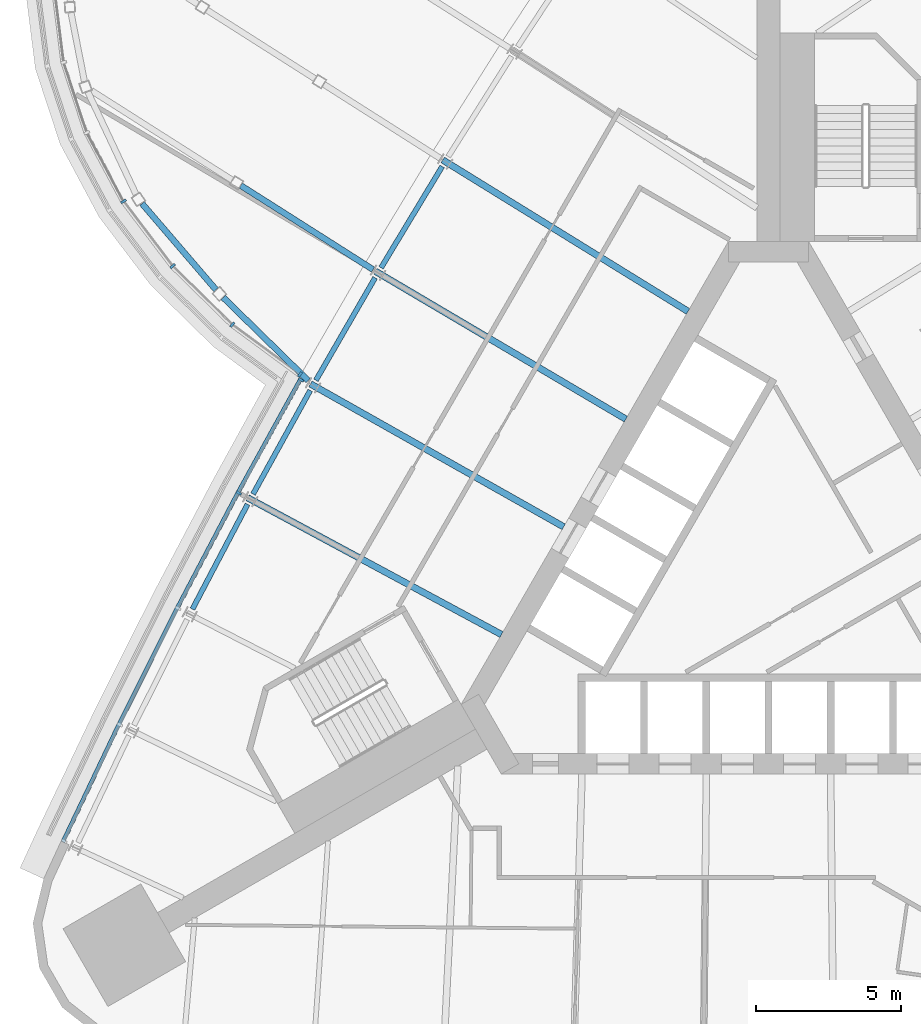
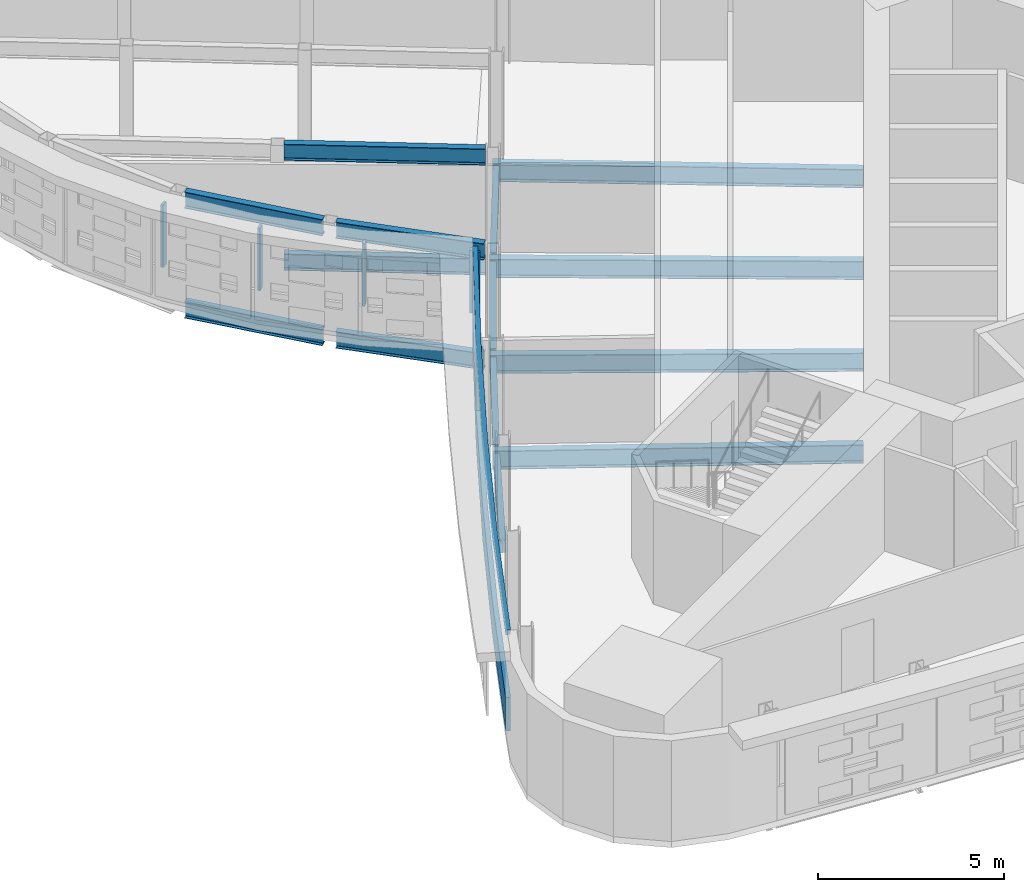
# One storey, part 6 of 17: 14 beams, 8 members, 2 elements without a shape of their own.
"""IFC4 building model written with IfcOpenShell, lengths in metres."""

from ifc_helpers import new_model, si_unit, direction, frame, origin, origin_2d, place, context, subcontext, project, spatial, polyline, rectangle, i_section, outline, extrude, material, material_profile, profile_set, type_object, element, aggregate, save


model = new_model("IFC4")

# Units and contexts
model_context = context("Model", 3, precision=1e-05, world=origin(), true_north=direction((0.0, 1.0)))
body_context = subcontext(model_context, "Body", "Model", "MODEL_VIEW")
ifc_project = project(units=[si_unit("LENGTHUNIT", "METRE"), si_unit("AREAUNIT", "SQUARE_METRE"), si_unit("VOLUMEUNIT", "CUBIC_METRE"), si_unit("PLANEANGLEUNIT", "RADIAN"), si_unit("MASSUNIT", "GRAM", prefix="KILO")], contexts=[model_context])

# Site, building, storey
site_placement = place(None, origin())
site = spatial("IfcSite", under=ifc_project, at=site_placement, CompositionType="ELEMENT")
building_placement = place(site_placement, origin())
building = spatial("IfcBuilding", under=site, at=building_placement, Name="Noor Cloister Tower", CompositionType="ELEMENT")
storey_placement = place(building_placement, frame((0.0, 0.0, 102.300048828125)))
storey = spatial("IfcBuildingStorey", under=building, at=storey_placement, Name="L26", CompositionType="ELEMENT", Elevation=102.300048828125)

# Curtain wall, members
ifc_material_1 = material(Name="Aluminium 6063-T6 anodised", Category="aluminium")
curtain_wall_type_1 = type_object("IfcCurtainWallType", Name="Ribbon curtain wall, lower tower CW1", PredefinedType="NOTDEFINED", material=ifc_material_1)
curtain_wall_1_placement = place(storey_placement, origin())
curtain_wall_1 = element("IfcCurtainWall", 1, at=curtain_wall_1_placement, inside=storey, type_object=curtain_wall_type_1, Name="CW1 L26 NW run 2", PredefinedType="NOTDEFINED")
ifc_material_2 = material(Name="Aluminium 6063-T6 anodised", Category="aluminium")
member_type_1 = type_object("IfcMemberType", Name="Head transom CW1 150", PredefinedType="USERDEFINED", material=ifc_material_2)
member_1_placement = place(storey_placement, frame((0.0, 0.0, 3.14990234375)))
member_1 = element("IfcMember", 2, at=member_1_placement, type_object=member_type_1, Name="CW1 head transom", ObjectType="TRANSOM", PredefinedType="USERDEFINED", context=body_context, shape_type="SweptSolid", body=[
    extrude(outline(polyline([(-16.2080078125, 6.759765625), (-18.380859375, 2.819091796875), (-20.475830078125, -1.16357421875), (-22.49169921875, -5.1865234375), (-24.42822265625, -9.24853515625), (-24.302001953125, -9.30859375), (-22.365966796875, -5.248046875), (-20.35107421875, -1.2275390625), (-18.257568359375, 2.752685546875), (-16.08544921875, 6.692138671875), (-16.2080078125, 6.759765625)])), origin(), (0.0, 0.0, 1.0), 0.150146484375),
])
ifc_material_3 = material(Name="Aluminium 6063-T6 anodised", Category="aluminium")
ifc_material_profile_1 = material_profile(ifc_material_3, rectangle(XDim=0.199951171875, YDim=0.080078125, at=origin_2d()), Name="200 x 80 mullion")
ifc_profile_set_1 = profile_set([ifc_material_profile_1], Name="Aluminium 6063-T6 anodised")
member_type_2 = type_object("IfcMemberType", Name="Mullion CW1 80 x 200", PredefinedType="MULLION", material=ifc_profile_set_1)
member_2_placement = place(storey_placement, frame((-16.139892578125, 6.67626953125, 1.099853515625), z_axis=(0.0, 0.0, 1.0), x_axis=(0.875698643614, -0.482858038737, 0.0)))
member_2 = element("IfcMember", 3, at=member_2_placement, type_object=member_type_2, Name="CW1 mullion 1", PredefinedType="MULLION", context=body_context, shape_type="SweptSolid", body=[
    extrude(rectangle(XDim=0.199951171875, YDim=0.080078125, at=origin_2d()), origin(), (0.0, 0.0, 1.0), 2.050048828125),
])
member_3_placement = place(storey_placement, frame((-18.292724609375, 2.771728515625, 1.099853515625), z_axis=(0.0, 0.0, 1.0), x_axis=(0.880408277748, -0.474216474275, 0.0)))
member_3 = element("IfcMember", 4, at=member_3_placement, type_object=member_type_2, Name="CW1 mullion 2", PredefinedType="MULLION", context=body_context, shape_type="SweptSolid", body=[
    extrude(rectangle(XDim=0.199951171875, YDim=0.080078125, at=origin_2d()), origin(), (0.0, 0.0, 1.0), 2.050048828125),
])

ifc_material_4 = material(Name="Aluminium 6063-T6 anodised", Category="aluminium")
curtain_wall_type_2 = type_object("IfcCurtainWallType", Name="Sky bar curtain wall, lower bars CW2", PredefinedType="NOTDEFINED", material=ifc_material_4)
curtain_wall_2_placement = place(storey_placement, origin())
curtain_wall_2 = element("IfcCurtainWall", 5, at=curtain_wall_2_placement, inside=storey, type_object=curtain_wall_type_2, Name="CW2 L26 NW sky bar run 1", PredefinedType="NOTDEFINED")
ifc_material_5 = material(Name="Aluminium 6063-T6 anodised", Category="aluminium")
ifc_material_profile_2 = material_profile(ifc_material_5, rectangle(XDim=0.199951171875, YDim=0.080078125, at=origin_2d()), Name="200 x 80 mullion")
ifc_profile_set_2 = profile_set([ifc_material_profile_2], Name="Aluminium 6063-T6 anodised")
member_type_3 = type_object("IfcMemberType", Name="Mullion CW2 80 x 200", PredefinedType="MULLION", material=ifc_profile_set_2)
member_4_placement = place(storey_placement, frame((-22.271484375, 12.84375, 1.099853515625), z_axis=(0.0, 0.0, 1.0), x_axis=(0.842174256763, 0.539205453649, 0.0)))
member_4 = element("IfcMember", 6, at=member_4_placement, type_object=member_type_3, Name="CW2 mullion 15", PredefinedType="MULLION", context=body_context, shape_type="SweptSolid", body=[
    extrude(rectangle(XDim=0.199951171875, YDim=0.080078125, at=origin_2d()), origin(), (0.0, 0.0, 1.0), 2.050048828125),
])
member_5_placement = place(storey_placement, frame((-20.57763671875, 10.607666015625, 1.099853515625), z_axis=(0.0, 0.0, 1.0), x_axis=(0.750691888526, 0.660652471804, 0.0)))
member_5 = element("IfcMember", 7, at=member_5_placement, type_object=member_type_3, Name="CW2 mullion 16", PredefinedType="MULLION", context=body_context, shape_type="SweptSolid", body=[
    extrude(rectangle(XDim=0.199951171875, YDim=0.080078125, at=origin_2d()), origin(), (0.0, 0.0, 1.0), 2.050048828125),
])
member_6_placement = place(storey_placement, frame((-18.51513671875, 8.584716796875, 1.099853515625), z_axis=(0.0, 0.0, 1.0), x_axis=(0.648411146888, 0.761290341849, 0.0)))
member_6 = element("IfcMember", 8, at=member_6_placement, type_object=member_type_3, Name="CW2 mullion 17", PredefinedType="MULLION", context=body_context, shape_type="SweptSolid", body=[
    extrude(rectangle(XDim=0.199951171875, YDim=0.080078125, at=origin_2d()), origin(), (0.0, 0.0, 1.0), 2.050048828125),
])
member_7_placement = place(storey_placement, frame((-16.180908203125, 6.864013671875, 1.099853515625), z_axis=(0.0, 0.0, 1.0), x_axis=(0.593401424742, 0.804906671058, 0.0)))
member_7 = element("IfcMember", 9, at=member_7_placement, type_object=member_type_3, Name="CW2 mullion 18", PredefinedType="MULLION", context=body_context, shape_type="SweptSolid", body=[
    extrude(rectangle(XDim=0.199951171875, YDim=0.080078125, at=origin_2d()), origin(), (0.0, 0.0, 1.0), 2.050048828125),
])
aggregate(curtain_wall_2, [member_4, member_5, member_6, member_7])

# Beams
ifc_material_6 = material(Name="Steel ASTM A992 Gr 50", Category="steel")
ifc_material_profile_3 = material_profile(ifc_material_6, i_section(OverallWidth=0.208984375, OverallDepth=0.532958984375, WebThickness=0.01025390625, FlangeThickness=0.015625, FilletRadius=0.0126953125, at=origin_2d()), Name="W530x92")
ifc_profile_set_3 = profile_set([ifc_material_profile_3], Name="Steel ASTM A992 Gr 50")
beam_type_1 = type_object("IfcBeamType", Name="Pod floor beam W530x92", PredefinedType="BEAM", material=ifc_profile_set_3)
beam_1_placement = place(storey_placement, frame((-13.65576171875, 10.48583984375, -0.466552734375), z_axis=(-0.843988413178, 0.536361406535, 0.0), x_axis=(-0.536361406535, -0.843988413178, 0.0)))
element("IfcBeam", 10, at=beam_1_placement, inside=storey, type_object=beam_type_1, Name="Pod floor beam 2 L26 line 5 span 1", PredefinedType="BEAM", context=body_context, shape_type="SweptSolid", body=[
    extrude(i_section(OverallWidth=0.208984375, OverallDepth=0.532958984375, WebThickness=0.01025390625, FlangeThickness=0.015625, FilletRadius=0.0126953125, at=origin_2d()), origin(), (0.0, 0.0, 1.0), 5.409423828125),
])
beam_2_placement = place(storey_placement, frame((-21.6328125, 12.765625, -0.466552734375), z_axis=(0.651308985518, -0.75881262864, 0.0), x_axis=(0.75881262864, 0.651308985518, 0.0)))
element("IfcBeam", 11, at=beam_2_placement, inside=storey, type_object=beam_type_1, Name="Pod floor beam 2 L26 ring 10", PredefinedType="BEAM", context=body_context, shape_type="SweptSolid", body=[
    extrude(i_section(OverallWidth=0.208984375, OverallDepth=0.532958984375, WebThickness=0.01025390625, FlangeThickness=0.015625, FilletRadius=0.0126953125, at=origin_2d()), origin(), (0.0, 0.0, 1.0), 3.922119140625),
])
beam_3_placement = place(storey_placement, frame((-18.828857421875, 9.52294921875, -0.466552734375), z_axis=(0.714711800692, -0.699419074626, 0.0), x_axis=(0.699419074626, 0.714711800692, 0.0)))
element("IfcBeam", 12, at=beam_3_placement, inside=storey, type_object=beam_type_1, Name="Pod floor beam 2 L26 ring 11", PredefinedType="BEAM", context=body_context, shape_type="SweptSolid", body=[
    extrude(i_section(OverallWidth=0.208984375, OverallDepth=0.532958984375, WebThickness=0.01025390625, FlangeThickness=0.015625, FilletRadius=0.0126953125, at=origin_2d()), origin(), (0.0, 0.0, 1.0), 4.102783203125),
])
beam_4_placement = place(storey_placement, frame((-13.65576171875, 10.48583984375, 3.133544921875), z_axis=(-0.843988413178, 0.536361406535, 0.0), x_axis=(-0.536361406535, -0.843988413178, 0.0)))
element("IfcBeam", 13, at=beam_4_placement, inside=storey, type_object=beam_type_1, Name="Pod floor beam 2 L27 line 5 span 1", PredefinedType="BEAM", context=body_context, shape_type="SweptSolid", body=[
    extrude(i_section(OverallWidth=0.208984375, OverallDepth=0.532958984375, WebThickness=0.01025390625, FlangeThickness=0.015625, FilletRadius=0.0126953125, at=origin_2d()), origin(), (0.0, 0.0, 1.0), 5.409423828125),
])
beam_5_placement = place(storey_placement, frame((-21.6328125, 12.765625, 3.133544921875), z_axis=(0.651308985518, -0.75881262864, 0.0), x_axis=(0.75881262864, 0.651308985518, 0.0)))
element("IfcBeam", 14, at=beam_5_placement, inside=storey, type_object=beam_type_1, Name="Pod floor beam 2 L27 ring 10", PredefinedType="BEAM", context=body_context, shape_type="SweptSolid", body=[
    extrude(i_section(OverallWidth=0.208984375, OverallDepth=0.532958984375, WebThickness=0.01025390625, FlangeThickness=0.015625, FilletRadius=0.0126953125, at=origin_2d()), origin(), (0.0, 0.0, 1.0), 3.922119140625),
])
beam_6_placement = place(storey_placement, frame((-18.828857421875, 9.52294921875, 3.133544921875), z_axis=(0.714711800692, -0.699419074626, 0.0), x_axis=(0.699419074626, 0.714711800692, 0.0)))
element("IfcBeam", 15, at=beam_6_placement, inside=storey, type_object=beam_type_1, Name="Pod floor beam 2 L27 ring 11", PredefinedType="BEAM", context=body_context, shape_type="SweptSolid", body=[
    extrude(i_section(OverallWidth=0.208984375, OverallDepth=0.532958984375, WebThickness=0.01025390625, FlangeThickness=0.015625, FilletRadius=0.0126953125, at=origin_2d()), origin(), (0.0, 0.0, 1.0), 4.102783203125),
])
ifc_material_7 = material(Name="Steel ASTM A992 Gr 50", Category="steel")
ifc_material_profile_4 = material_profile(ifc_material_7, i_section(OverallWidth=0.22802734375, OverallDepth=0.60205078125, WebThickness=0.010498046875, FlangeThickness=0.014892578125, FilletRadius=0.0126953125, at=origin_2d()), Name="W610x101")
ifc_profile_set_4 = profile_set([ifc_material_profile_4], Name="Steel ASTM A992 Gr 50")
beam_type_2 = type_object("IfcBeamType", Name="Radial beam W610x101", PredefinedType="BEAM", material=ifc_profile_set_4)
beam_7_placement = place(storey_placement, frame((-11.249267578125, 14.272705078125, -0.5009765625), z_axis=(0.850881836439, -0.525357117034, 0.0), x_axis=(0.525357117034, 0.850881836439, 0.0)))
element("IfcBeam", 16, at=beam_7_placement, inside=storey, type_object=beam_type_2, Name="Radial beam NW 04 L26", PredefinedType="BEAM", context=body_context, shape_type="SweptSolid", body=[
    extrude(i_section(OverallWidth=0.22802734375, OverallDepth=0.60205078125, WebThickness=0.010498046875, FlangeThickness=0.014892578125, FilletRadius=0.0126953125, at=origin_2d()), origin(), (0.0, 0.0, 1.0), 9.95458984375),
])
for number, where, z_axis, x_axis, name in (
    (17, (-13.571044921875, 10.42822265625, -0.5009765625), (0.86106399039, -0.508496612038, 0.0), (0.508496612038, 0.86106399039, 0.0), "Radial beam NW 05 L26"),
    (18, (-15.816650390625, 6.538818359375, -0.5009765625), (0.870901874431, -0.491456941259, 0.0), (0.491456941259, 0.870901874431, 0.0), "Radial beam NW 06 L26"),
):
    element("IfcBeam", number, at=place(storey_placement, frame(where, z_axis=z_axis, x_axis=x_axis)), inside=storey, type_object=beam_type_2, Name=name, PredefinedType="BEAM", context=body_context, shape_type="SweptSolid", body=[
        extrude(i_section(OverallWidth=0.22802734375, OverallDepth=0.60205078125, WebThickness=0.010498046875, FlangeThickness=0.014892578125, FilletRadius=0.0126953125, at=origin_2d()), origin(), (0.0, 0.0, 1.0), 10.039306640625),
    ])
beam_8_placement = place(storey_placement, frame((-17.985107421875, 2.60595703125, -0.5009765625), z_axis=(0.880406516163, -0.474219744736, 0.0), x_axis=(0.474219744736, 0.880406516163, 0.0)))
element("IfcBeam", 19, at=beam_8_placement, inside=storey, type_object=beam_type_2, Name="Radial beam NW 07 L26", PredefinedType="BEAM", context=body_context, shape_type="SweptSolid", body=[
    extrude(i_section(OverallWidth=0.22802734375, OverallDepth=0.60205078125, WebThickness=0.010498046875, FlangeThickness=0.014892578125, FilletRadius=0.0126953125, at=origin_2d()), origin(), (0.0, 0.0, 1.0), 9.95458984375),
])

# Member
ifc_material_8 = material(Name="Aluminium 6063-T6 anodised", Category="aluminium")
member_type_4 = type_object("IfcMemberType", Name="Sill transom CW1 1100", PredefinedType="USERDEFINED", material=ifc_material_8)
member_8_placement = place(storey_placement, origin())
member_8 = element("IfcMember", 20, at=member_8_placement, type_object=member_type_4, Name="CW1 sill transom", ObjectType="TRANSOM", PredefinedType="USERDEFINED", context=body_context, shape_type="SweptSolid", body=[
    extrude(outline(polyline([(-16.2080078125, 6.759765625), (-18.380859375, 2.819091796875), (-20.475830078125, -1.16357421875), (-22.49169921875, -5.1865234375), (-24.42822265625, -9.24853515625), (-24.302001953125, -9.30859375), (-22.365966796875, -5.248046875), (-20.35107421875, -1.2275390625), (-18.257568359375, 2.752685546875), (-16.08544921875, 6.692138671875), (-16.2080078125, 6.759765625)])), origin(), (0.0, 0.0, 1.0), 1.099853515625),
])

aggregate(curtain_wall_1, [member_2, member_3, member_8, member_1])

# Beams
ifc_material_9 = material(Name="Steel ASTM A992 Gr 50", Category="steel")
ifc_material_profile_5 = material_profile(ifc_material_9, i_section(OverallWidth=0.177978515625, OverallDepth=0.406005859375, WebThickness=0.0078125, FlangeThickness=0.0126953125, FilletRadius=0.01025390625, at=origin_2d()), Name="W410x60")
ifc_profile_set_5 = profile_set([ifc_material_profile_5], Name="Steel ASTM A992 Gr 50")
beam_type_3 = type_object("IfcBeamType", Name="Spandrel beam W410x60", PredefinedType="SPANDREL", material=ifc_profile_set_5)
for number, where, z_axis, x_axis, name in (
    (21, (-11.267578125, 14.048095703125, -0.403076171875), (-0.516935158604, -0.856024556773, 0.0), (0.856024556773, -0.516935158604, 0.0), "Spandrel beam NW 04 L26"),
    (22, (-13.584716796875, 10.203369140625, -0.403076171875), (-0.500037791097, -0.866003583985, 0.0), (0.866003583985, -0.500037791097, 0.0), "Spandrel beam NW 05 L26"),
):
    element("IfcBeam", number, at=place(storey_placement, frame(where, z_axis=z_axis, x_axis=x_axis)), inside=storey, type_object=beam_type_3, Name=name, PredefinedType="SPANDREL", context=body_context, shape_type="SweptSolid", body=[
        extrude(i_section(OverallWidth=0.177978515625, OverallDepth=0.406005859375, WebThickness=0.0078125, FlangeThickness=0.0126953125, FilletRadius=0.01025390625, at=origin_2d()), origin(), (0.0, 0.0, 1.0), 4.088134765625),
    ])
beam_9_placement = place(storey_placement, frame((-15.825927734375, 6.313720703125, -0.403076171875), z_axis=(-0.482851559561, -0.875702216184, 0.0), x_axis=(0.875702216184, -0.482851559561, 0.0)))
element("IfcBeam", 23, at=beam_9_placement, inside=storey, type_object=beam_type_3, Name="Spandrel beam NW 06 L26", PredefinedType="SPANDREL", context=body_context, shape_type="SweptSolid", body=[
    extrude(i_section(OverallWidth=0.177978515625, OverallDepth=0.406005859375, WebThickness=0.0078125, FlangeThickness=0.0126953125, FilletRadius=0.01025390625, at=origin_2d()), origin(), (0.0, 0.0, 1.0), 4.087890625),
])
beam_10_placement = place(storey_placement, frame((-17.989990234375, 2.380859375, -0.403076171875), z_axis=(-0.465512591223, -0.885041257464, 0.0), x_axis=(0.885041257464, -0.465512591223, 0.0)))
element("IfcBeam", 24, at=beam_10_placement, inside=storey, type_object=beam_type_3, Name="Spandrel beam NW 07 L26", PredefinedType="SPANDREL", context=body_context, shape_type="SweptSolid", body=[
    extrude(i_section(OverallWidth=0.177978515625, OverallDepth=0.406005859375, WebThickness=0.0078125, FlangeThickness=0.0126953125, FilletRadius=0.01025390625, at=origin_2d()), origin(), (0.0, 0.0, 1.0), 4.088134765625),
])

save(model, "model.ifc")
